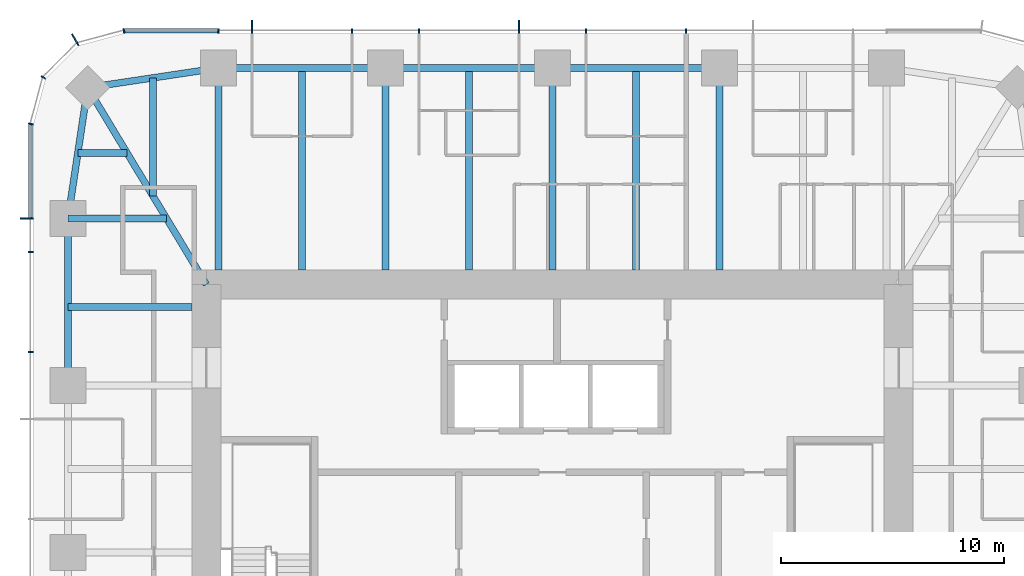
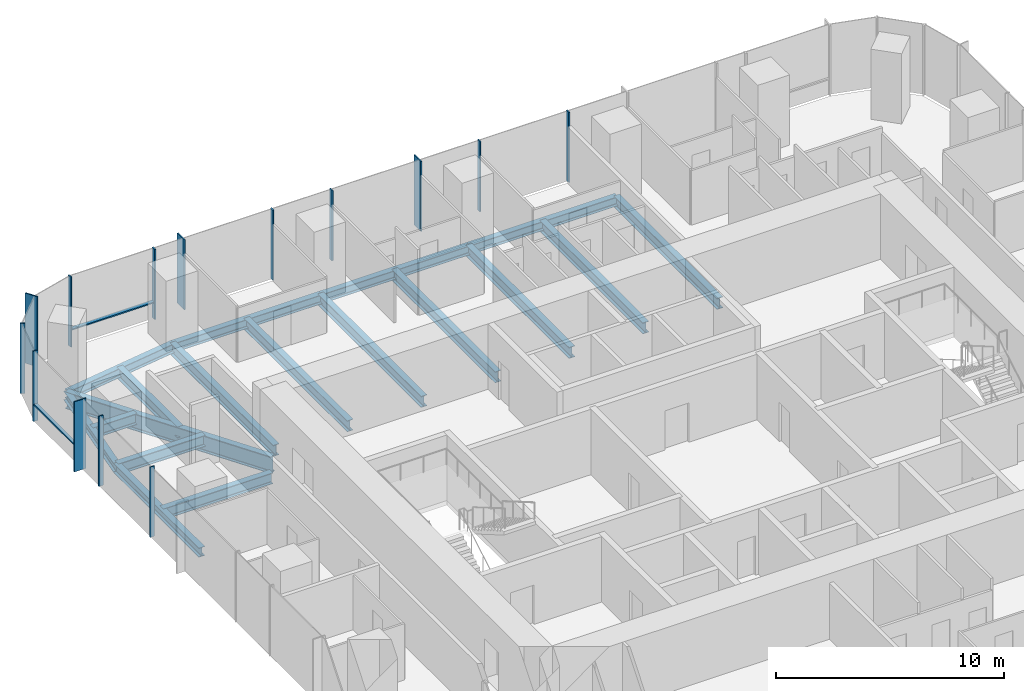
# One storey, part 5 of 12: 18 beams, 16 members, 3 elements without a shape of their own.
"""IFC4 building model written with IfcOpenShell, lengths in metres."""

from ifc_helpers import new_model, si_unit, direction, frame, origin, origin_2d, place, context, subcontext, project, spatial, rectangle, i_section, extrude, material, material_profile, profile_set, type_object, element, aggregate, save


model = new_model("IFC4")

# Units and contexts
model_context = context("Model", 3, precision=1e-05, world=origin(), true_north=direction((0.0, 1.0)))
body_context = subcontext(model_context, "Body", "Model", "MODEL_VIEW")
ifc_project = project(units=[si_unit("LENGTHUNIT", "METRE"), si_unit("AREAUNIT", "SQUARE_METRE"), si_unit("VOLUMEUNIT", "CUBIC_METRE"), si_unit("PLANEANGLEUNIT", "RADIAN"), si_unit("MASSUNIT", "GRAM", prefix="KILO")], contexts=[model_context])

# Site, building, storey
site_placement = place(None, origin())
site = spatial("IfcSite", under=ifc_project, at=site_placement, CompositionType="ELEMENT")
building_placement = place(site_placement, origin())
building = spatial("IfcBuilding", under=site, at=building_placement, Name="Khuree Lantern Residences", CompositionType="ELEMENT")
storey_placement = place(building_placement, frame((0.0, 0.0, 327.0)))
storey = spatial("IfcBuildingStorey", under=building, at=storey_placement, Name="L82", CompositionType="ELEMENT", Elevation=327.0)

# Beams
ifc_material_1 = material(Name="Steel S355", Category="steel")
ifc_material_profile_1 = material_profile(ifc_material_1, i_section(OverallWidth=0.300048828125, OverallDepth=0.590087890625, WebThickness=0.012939453125, FlangeThickness=0.02490234375, FilletRadius=0.027099609375, at=origin_2d()), Name="HE 600 A")
ifc_profile_set_1 = profile_set([ifc_material_profile_1], Name="Steel S355")
beam_type_1 = type_object("IfcBeamType", Name="B-43 SECONDARY BEAM HE 600 A", PredefinedType="BEAM", material=ifc_profile_set_1)
for number, where, z_axis, x_axis, name in (
    (1, (-11.219970703125, 21.699951171875, -0.544921875), (0.0, -1.0, 0.0), (1.0, 0.0, 0.0), "Secondary beam N1"),
    (2, (-3.739990234375, 21.699951171875, -0.544921875), (0.0, -1.0, 0.0), (1.0, 0.0, 0.0), "Secondary beam N2"),
    (3, (3.739990234375, 21.699951171875, -0.544921875), (0.0, -1.0, 0.0), (1.0, 0.0, 0.0), "Secondary beam N3"),
):
    element("IfcBeam", number, at=place(storey_placement, frame(where, z_axis=z_axis, x_axis=x_axis)), inside=storey, type_object=beam_type_1, Name=name, PredefinedType="BEAM", context=body_context, shape_type="SweptSolid", body=[
        extrude(i_section(OverallWidth=0.300048828125, OverallDepth=0.590087890625, WebThickness=0.012939453125, FlangeThickness=0.02490234375, FilletRadius=0.027099609375, at=origin_2d()), origin(), (0.0, 0.0, 1.0), 9.050048828125),
    ])
beam_1_placement = place(storey_placement, frame((-21.699951171875, 11.0, -0.544921875), z_axis=(1.0, 0.0, 0.0), x_axis=(0.0, 1.0, 0.0)))
element("IfcBeam", 4, at=beam_1_placement, inside=storey, type_object=beam_type_1, Name="Secondary beam W5", PredefinedType="BEAM", context=body_context, shape_type="SweptSolid", body=[
    extrude(i_section(OverallWidth=0.300048828125, OverallDepth=0.590087890625, WebThickness=0.012939453125, FlangeThickness=0.02490234375, FilletRadius=0.027099609375, at=origin_2d()), origin(), (0.0, 0.0, 1.0), 5.550048828125),
])
beam_2_placement = place(storey_placement, frame((-21.2607421875, 17.890625, -0.544921875), z_axis=(1.0, 0.0, 0.0), x_axis=(0.0, 1.0, 0.0)))
element("IfcBeam", 5, at=beam_2_placement, inside=storey, type_object=beam_type_1, Name="Secondary beam W6", PredefinedType="BEAM", context=body_context, shape_type="SweptSolid", body=[
    extrude(i_section(OverallWidth=0.300048828125, OverallDepth=0.590087890625, WebThickness=0.012939453125, FlangeThickness=0.02490234375, FilletRadius=0.027099609375, at=origin_2d()), origin(), (0.0, 0.0, 1.0), 2.207275390625),
])
beam_3_placement = place(storey_placement, frame((-17.890625, 21.2607421875, -0.544921875), z_axis=(0.0, -1.0, 0.0), x_axis=(1.0, 0.0, 0.0)))
element("IfcBeam", 6, at=beam_3_placement, inside=storey, type_object=beam_type_1, Name="Secondary beam N6", PredefinedType="BEAM", context=body_context, shape_type="SweptSolid", body=[
    extrude(i_section(OverallWidth=0.300048828125, OverallDepth=0.590087890625, WebThickness=0.012939453125, FlangeThickness=0.02490234375, FilletRadius=0.027099609375, at=origin_2d()), origin(), (0.0, 0.0, 1.0), 5.297607421875),
])
ifc_material_profile_2 = material_profile(ifc_material_1, i_section(OverallWidth=0.300048828125, OverallDepth=0.489990234375, WebThickness=0.011962890625, FlangeThickness=0.02294921875, FilletRadius=0.027099609375, at=origin_2d()), Name="HE 500 A")
ifc_profile_set_2 = profile_set([ifc_material_profile_2], Name="Steel S355")
beam_type_2 = type_object("IfcBeamType", Name="E-43 SPANDREL BEAM HE 500 A", PredefinedType="SPANDREL", material=ifc_profile_set_2)
for number, where, z_axis, x_axis, name in (
    (7, (-14.9599609375, 21.699951171875, -0.4951171875), (1.0, 0.0, 0.0), (0.0, 1.0, 0.0), "Spandrel beam N1"),
    (8, (-7.47998046875, 21.699951171875, -0.4951171875), (1.0, 0.0, 0.0), (0.0, 1.0, 0.0), "Spandrel beam N2"),
    (9, (0.0, 21.699951171875, -0.4951171875), (1.0, 0.0, 0.0), (0.0, 1.0, 0.0), "Spandrel beam N3"),
    (10, (-21.699951171875, 7.47998046875, -0.4951171875), (0.0, 1.0, 0.0), (-1.0, 0.0, 0.0), "Spandrel beam W5"),
):
    element("IfcBeam", number, at=place(storey_placement, frame(where, z_axis=z_axis, x_axis=x_axis)), inside=storey, type_object=beam_type_2, Name=name, PredefinedType="SPANDREL", context=body_context, shape_type="SweptSolid", body=[
        extrude(i_section(OverallWidth=0.300048828125, OverallDepth=0.489990234375, WebThickness=0.011962890625, FlangeThickness=0.02294921875, FilletRadius=0.027099609375, at=origin_2d()), origin(), (0.0, 0.0, 1.0), 7.47998046875),
    ])
for number, where, z_axis, x_axis, name in (
    (11, (-21.699951171875, 14.9599609375, -0.4951171875), (0.148251822985, 0.988949643299, 0.0), (-0.988949643299, 0.148251822985, 0.0), "Spandrel beam W6"),
    (12, (-20.8212890625, 20.8212890625, -0.4951171875), (0.988949643299, 0.148251822985, 0.0), (-0.148251822985, 0.988949643299, 0.0), "Spandrel beam N6"),
):
    element("IfcBeam", number, at=place(storey_placement, frame(where, z_axis=z_axis, x_axis=x_axis)), inside=storey, type_object=beam_type_2, Name=name, PredefinedType="SPANDREL", context=body_context, shape_type="SweptSolid", body=[
        extrude(i_section(OverallWidth=0.300048828125, OverallDepth=0.489990234375, WebThickness=0.011962890625, FlangeThickness=0.02294921875, FilletRadius=0.027099609375, at=origin_2d()), origin(), (0.0, 0.0, 1.0), 5.9267578125),
    ])

# Curtain wall, members
ifc_material_2 = material(Name="Bronze anodised aluminium", Category="aluminium")
curtain_wall_type_1 = type_object("IfcCurtainWallType", Name="CW-T1 TOWER FACE CURTAIN WALL", PredefinedType="USERDEFINED", material=ifc_material_2)
curtain_wall_1_placement = place(storey_placement, origin())
curtain_wall_1 = element("IfcCurtainWall", 13, at=curtain_wall_1_placement, inside=storey, type_object=curtain_wall_type_1, Name="L82 NORTH FACE CURTAIN WALL", ObjectType="Stick-built curtain wall", PredefinedType="USERDEFINED")
ifc_material_profile_3 = material_profile(ifc_material_2, rectangle(XDim=0.06494140625, YDim=0.60009765625, at=origin_2d()), Name="F1 65X600")
ifc_profile_set_3 = profile_set([ifc_material_profile_3], Name="Bronze anodised aluminium")
member_type_1 = type_object("IfcMemberType", Name="F1 BRONZE FIN MULLION TOWER 65X600", PredefinedType="MULLION", material=ifc_profile_set_3)
member_1_placement = place(storey_placement, frame((-1.49609375, 23.550048828125, 0.0), z_axis=(0.0, 0.0, 1.0), x_axis=(-1.0, 0.0, 0.0)))
member_1 = element("IfcMember", 14, at=member_1_placement, type_object=member_type_1, Name="L82 NORTH FACE FIN MULLION 24", PredefinedType="MULLION", context=body_context, shape_type="SweptSolid", body=[
    extrude(rectangle(XDim=0.06494140625, YDim=0.60009765625, at=origin_2d()), origin(), (0.0, 0.0, 1.0), 3.75),
])
member_2_placement = place(storey_placement, frame((-13.464111328125, 23.550048828125, 0.0), z_axis=(0.0, 0.0, 1.0), x_axis=(-1.0, 0.0, 0.0)))
member_2 = element("IfcMember", 15, at=member_2_placement, type_object=member_type_1, Name="L82 NORTH FACE FIN MULLION 27", PredefinedType="MULLION", context=body_context, shape_type="SweptSolid", body=[
    extrude(rectangle(XDim=0.06494140625, YDim=0.60009765625, at=origin_2d()), origin(), (0.0, 0.0, 1.0), 3.75),
])

# Curtain wall, member
curtain_wall_type_2 = type_object("IfcCurtainWallType", Name="CW-T2 TOWER CORNER CURTAIN WALL", PredefinedType="USERDEFINED", material=ifc_material_2)
curtain_wall_2_placement = place(storey_placement, origin())
curtain_wall_2 = element("IfcCurtainWall", 16, at=curtain_wall_2_placement, inside=storey, type_object=curtain_wall_type_2, Name="L82 NORTH-WEST CORNER CURTAIN WALL", ObjectType="Faceted corner curtain wall", PredefinedType="USERDEFINED")
member_3_placement = place(storey_placement, frame((-21.375, 22.96728515625, 0.0), z_axis=(0.0, 0.0, 1.0), x_axis=(-0.866025437565, -0.49999994149, 0.0)))
member_3 = element("IfcMember", 17, at=member_3_placement, type_object=member_type_1, Name="L82 NORTH-WEST CORNER FIN MULLION 30", PredefinedType="MULLION", context=body_context, shape_type="SweptSolid", body=[
    extrude(rectangle(XDim=0.06494140625, YDim=0.60009765625, at=origin_2d()), origin(), (0.0, 0.0, 1.0), 3.75),
])

curtain_wall_3_placement = place(storey_placement, origin())
curtain_wall_3 = element("IfcCurtainWall", 18, at=curtain_wall_3_placement, inside=storey, type_object=curtain_wall_type_1, Name="L82 WEST FACE CURTAIN WALL", ObjectType="Stick-built curtain wall", PredefinedType="USERDEFINED")
member_4_placement = place(storey_placement, frame((-23.550048828125, 14.9599609375, 0.0), z_axis=(0.0, 0.0, 1.0), x_axis=(0.0, -1.0, 0.0)))
member_4 = element("IfcMember", 19, at=member_4_placement, type_object=member_type_1, Name="L82 WEST FACE FIN MULLION 33", PredefinedType="MULLION", context=body_context, shape_type="SweptSolid", body=[
    extrude(rectangle(XDim=0.06494140625, YDim=0.60009765625, at=origin_2d()), origin(), (0.0, 0.0, 1.0), 3.75),
])

# Beams
ifc_material_profile_4 = material_profile(ifc_material_1, i_section(OverallWidth=0.300048828125, OverallDepth=0.60009765625, WebThickness=0.015380859375, FlangeThickness=0.030029296875, FilletRadius=0.027099609375, at=origin_2d()), Name="HE 600 B")
ifc_profile_set_4 = profile_set([ifc_material_profile_4], Name="Steel S355")
beam_type_3 = type_object("IfcBeamType", Name="G-43 GIRDER HE 600 B", PredefinedType="BEAM", material=ifc_profile_set_4)
for number, where, z_axis, x_axis, name in (
    (20, (-14.9599609375, 21.699951171875, -0.550048828125), (0.0, -1.0, 0.0), (1.0, 0.0, 0.0), "Girder N1"),
    (21, (-7.47998046875, 21.699951171875, -0.550048828125), (0.0, -1.0, 0.0), (1.0, 0.0, 0.0), "Girder N2"),
    (22, (0.0, 21.699951171875, -0.550048828125), (0.0, -1.0, 0.0), (1.0, 0.0, 0.0), "Girder N3"),
    (23, (7.47998046875, 21.699951171875, -0.550048828125), (0.0, -1.0, 0.0), (1.0, 0.0, 0.0), "Girder N4"),
):
    element("IfcBeam", number, at=place(storey_placement, frame(where, z_axis=z_axis, x_axis=x_axis)), inside=storey, type_object=beam_type_3, Name=name, PredefinedType="BEAM", context=body_context, shape_type="SweptSolid", body=[
        extrude(i_section(OverallWidth=0.300048828125, OverallDepth=0.60009765625, WebThickness=0.015380859375, FlangeThickness=0.030029296875, FilletRadius=0.027099609375, at=origin_2d()), origin(), (0.0, 0.0, 1.0), 9.050048828125),
    ])
beam_4_placement = place(storey_placement, frame((-21.699951171875, 14.9599609375, -0.550048828125), z_axis=(1.0, 0.0, 0.0), x_axis=(0.0, 1.0, 0.0)))
element("IfcBeam", 24, at=beam_4_placement, inside=storey, type_object=beam_type_3, Name="Girder W5", PredefinedType="BEAM", context=body_context, shape_type="SweptSolid", body=[
    extrude(i_section(OverallWidth=0.300048828125, OverallDepth=0.60009765625, WebThickness=0.015380859375, FlangeThickness=0.030029296875, FilletRadius=0.027099609375, at=origin_2d()), origin(), (0.0, 0.0, 1.0), 4.414306640625),
])
ifc_material_profile_5 = material_profile(ifc_material_1, i_section(OverallWidth=0.300048828125, OverallDepth=0.89990234375, WebThickness=0.0185546875, FlangeThickness=0.034912109375, FilletRadius=0.030029296875, at=origin_2d()), Name="HE 900 B")
ifc_profile_set_5 = profile_set([ifc_material_profile_5], Name="Steel S355")
beam_type_4 = type_object("IfcBeamType", Name="GD-43 CORNER GIRDER HE 900 B", PredefinedType="BEAM", material=ifc_profile_set_5)
beam_5_placement = place(storey_placement, frame((-20.8212890625, 20.8212890625, -0.699951171875), z_axis=(0.516529577604, -0.856269347495, 0.0), x_axis=(0.856269347495, 0.516529577604, 0.0)))
element("IfcBeam", 25, at=beam_5_placement, inside=storey, type_object=beam_type_4, Name="Corner girder NW", PredefinedType="BEAM", context=body_context, shape_type="SweptSolid", body=[
    extrude(i_section(OverallWidth=0.300048828125, OverallDepth=0.89990234375, WebThickness=0.0185546875, FlangeThickness=0.034912109375, FilletRadius=0.030029296875, at=origin_2d()), origin(), (0.0, 0.0, 1.0), 10.302001953125),
])

# Member
ifc_material_profile_6 = material_profile(ifc_material_2, rectangle(XDim=0.06494140625, YDim=0.219970703125, at=origin_2d()), Name="M1 65X220")
ifc_profile_set_6 = profile_set([ifc_material_profile_6], Name="Bronze anodised aluminium")
member_type_2 = type_object("IfcMemberType", Name="M1 BRONZE MULLION TOWER 65X220", PredefinedType="MULLION", material=ifc_profile_set_6)
member_5_placement = place(storey_placement, frame((5.98388671875, 23.360107421875, 0.0), z_axis=(0.0, 0.0, 1.0), x_axis=(-1.0, 0.0, 0.0)))
member_5 = element("IfcMember", 26, at=member_5_placement, type_object=member_type_2, Name="L82 NORTH FACE MULLION 22", PredefinedType="MULLION", context=body_context, shape_type="SweptSolid", body=[
    extrude(rectangle(XDim=0.06494140625, YDim=0.219970703125, at=origin_2d()), origin(), (0.0, 0.0, 1.0), 3.75),
])

member_6_placement = place(storey_placement, frame((1.49609375, 23.360107421875, 0.0), z_axis=(0.0, 0.0, 1.0), x_axis=(-1.0, 0.0, 0.0)))
member_6 = element("IfcMember", 27, at=member_6_placement, type_object=member_type_2, Name="L82 NORTH FACE MULLION 23", PredefinedType="MULLION", context=body_context, shape_type="SweptSolid", body=[
    extrude(rectangle(XDim=0.06494140625, YDim=0.219970703125, at=origin_2d()), origin(), (0.0, 0.0, 1.0), 3.75),
])

member_7_placement = place(storey_placement, frame((-5.98388671875, 23.360107421875, 0.0), z_axis=(0.0, 0.0, 1.0), x_axis=(-1.0, 0.0, 0.0)))
member_7 = element("IfcMember", 28, at=member_7_placement, type_object=member_type_2, Name="L82 NORTH FACE MULLION 25", PredefinedType="MULLION", context=body_context, shape_type="SweptSolid", body=[
    extrude(rectangle(XDim=0.06494140625, YDim=0.219970703125, at=origin_2d()), origin(), (0.0, 0.0, 1.0), 3.75),
])

member_8_placement = place(storey_placement, frame((-8.97607421875, 23.360107421875, 0.0), z_axis=(0.0, 0.0, 1.0), x_axis=(-1.0, 0.0, 0.0)))
member_8 = element("IfcMember", 29, at=member_8_placement, type_object=member_type_2, Name="L82 NORTH FACE MULLION 26", PredefinedType="MULLION", context=body_context, shape_type="SweptSolid", body=[
    extrude(rectangle(XDim=0.06494140625, YDim=0.219970703125, at=origin_2d()), origin(), (0.0, 0.0, 1.0), 3.75),
])

member_9_placement = place(storey_placement, frame((-14.9599609375, 23.360107421875, 0.0), z_axis=(0.0, 0.0, 1.0), x_axis=(-1.0, 0.0, 0.0)))
member_9 = element("IfcMember", 30, at=member_9_placement, type_object=member_type_2, Name="L82 NORTH FACE MULLION 28", PredefinedType="MULLION", context=body_context, shape_type="SweptSolid", body=[
    extrude(rectangle(XDim=0.06494140625, YDim=0.219970703125, at=origin_2d()), origin(), (0.0, 0.0, 1.0), 3.75),
])

member_10_placement = place(storey_placement, frame((-19.195068359375, 23.36181640625, 0.0), z_axis=(0.0, 0.0, 1.0), x_axis=(-0.991444870192, -0.130526125236, 0.0)))
member_10 = element("IfcMember", 31, at=member_10_placement, type_object=member_type_2, Name="L82 NORTH-WEST CORNER MULLION 29", PredefinedType="MULLION", context=body_context, shape_type="SweptSolid", body=[
    extrude(rectangle(XDim=0.06494140625, YDim=0.219970703125, at=origin_2d()), origin(), (0.0, 0.0, 1.0), 3.75),
])

member_11_placement = place(storey_placement, frame((-22.802734375, 21.280029296875, 0.0), z_axis=(0.0, 0.0, 1.0), x_axis=(-0.49999994149, -0.866025437565, 0.0)))
member_11 = element("IfcMember", 32, at=member_11_placement, type_object=member_type_2, Name="L82 NORTH-WEST CORNER MULLION 31", PredefinedType="MULLION", context=body_context, shape_type="SweptSolid", body=[
    extrude(rectangle(XDim=0.06494140625, YDim=0.219970703125, at=origin_2d()), origin(), (0.0, 0.0, 1.0), 3.75),
])

aggregate(curtain_wall_2, [member_10, member_3, member_11])

member_12_placement = place(storey_placement, frame((-23.36181640625, 19.195068359375, 0.0), z_axis=(0.0, 0.0, 1.0), x_axis=(-0.130526125236, -0.991444870192, 0.0)))
member_12 = element("IfcMember", 33, at=member_12_placement, type_object=member_type_2, Name="L82 WEST FACE MULLION 32", PredefinedType="MULLION", context=body_context, shape_type="SweptSolid", body=[
    extrude(rectangle(XDim=0.06494140625, YDim=0.219970703125, at=origin_2d()), origin(), (0.0, 0.0, 1.0), 3.75),
])

member_13_placement = place(storey_placement, frame((-23.360107421875, 13.464111328125, 0.0), z_axis=(0.0, 0.0, 1.0), x_axis=(0.0, -1.0, 0.0)))
member_13 = element("IfcMember", 34, at=member_13_placement, type_object=member_type_2, Name="L82 WEST FACE MULLION 34", PredefinedType="MULLION", context=body_context, shape_type="SweptSolid", body=[
    extrude(rectangle(XDim=0.06494140625, YDim=0.219970703125, at=origin_2d()), origin(), (0.0, 0.0, 1.0), 3.75),
])

member_14_placement = place(storey_placement, frame((-23.360107421875, 8.97607421875, 0.0), z_axis=(0.0, 0.0, 1.0), x_axis=(0.0, -1.0, 0.0)))
member_14 = element("IfcMember", 35, at=member_14_placement, type_object=member_type_2, Name="L82 WEST FACE MULLION 35", PredefinedType="MULLION", context=body_context, shape_type="SweptSolid", body=[
    extrude(rectangle(XDim=0.06494140625, YDim=0.219970703125, at=origin_2d()), origin(), (0.0, 0.0, 1.0), 3.75),
])

ifc_material_profile_7 = material_profile(ifc_material_2, rectangle(XDim=0.179931640625, YDim=0.06494140625, at=origin_2d()), Name="T1 180X65")
ifc_profile_set_7 = profile_set([ifc_material_profile_7], Name="Bronze anodised aluminium")
member_type_3 = type_object("IfcMemberType", Name="TRANSOM T1 TOWER 180X65", PredefinedType="USERDEFINED", material=ifc_profile_set_7)
member_15_placement = place(storey_placement, frame((-14.992431640625, 23.3701171875, 0.89990234375), z_axis=(-1.0, 0.0, 0.0), x_axis=(0.0, -1.0, 0.0)))
member_15 = element("IfcMember", 36, at=member_15_placement, type_object=member_type_3, Name="L82 NORTH FACE TRANSOM 28.1", ObjectType="Transom", PredefinedType="USERDEFINED", context=body_context, shape_type="SweptSolid", body=[
    extrude(rectangle(XDim=0.179931640625, YDim=0.06494140625, at=origin_2d()), origin(), (0.0, 0.0, 1.0), 4.158935546875),
])

aggregate(curtain_wall_1, [member_5, member_6, member_1, member_7, member_8, member_2, member_9, member_15])

member_16_placement = place(storey_placement, frame((-23.3701171875, 19.1513671875, 0.89990234375), z_axis=(0.0, -1.0, 0.0), x_axis=(1.0, 0.0, 0.0)))
member_16 = element("IfcMember", 37, at=member_16_placement, type_object=member_type_3, Name="L82 WEST FACE TRANSOM 32.1", ObjectType="Transom", PredefinedType="USERDEFINED", context=body_context, shape_type="SweptSolid", body=[
    extrude(rectangle(XDim=0.179931640625, YDim=0.06494140625, at=origin_2d()), origin(), (0.0, 0.0, 1.0), 4.158935546875),
])

aggregate(curtain_wall_3, [member_12, member_4, member_13, member_14, member_16])

save(model, "model.ifc")
